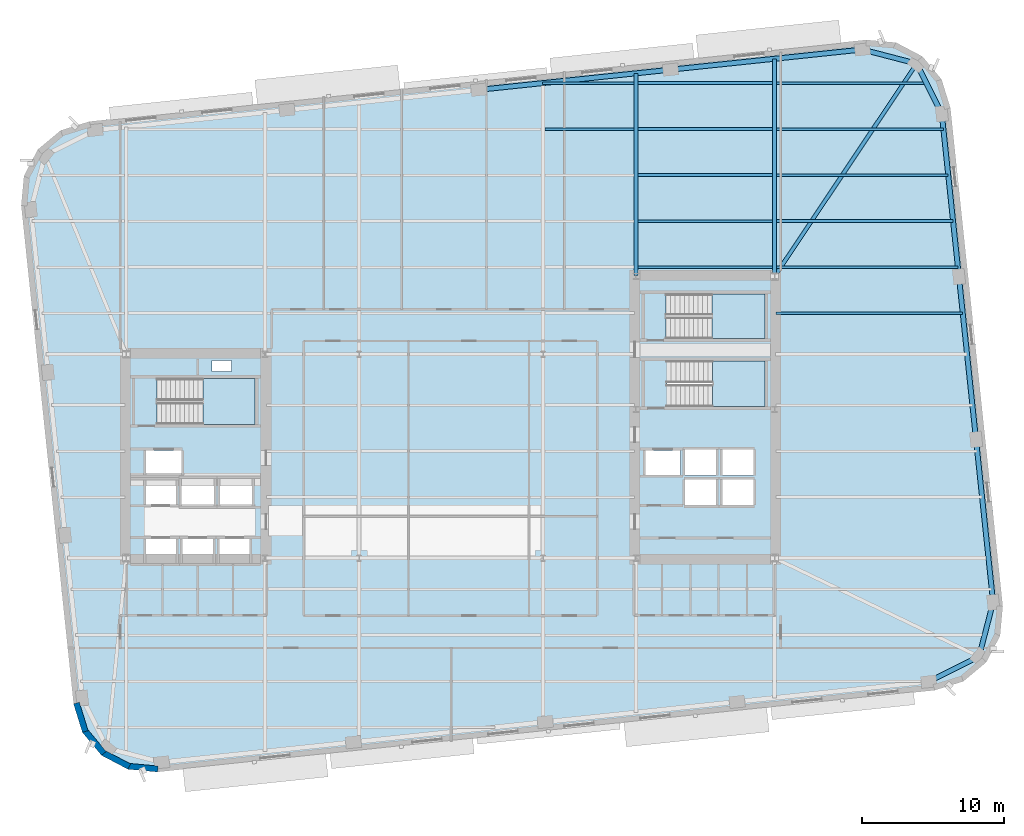
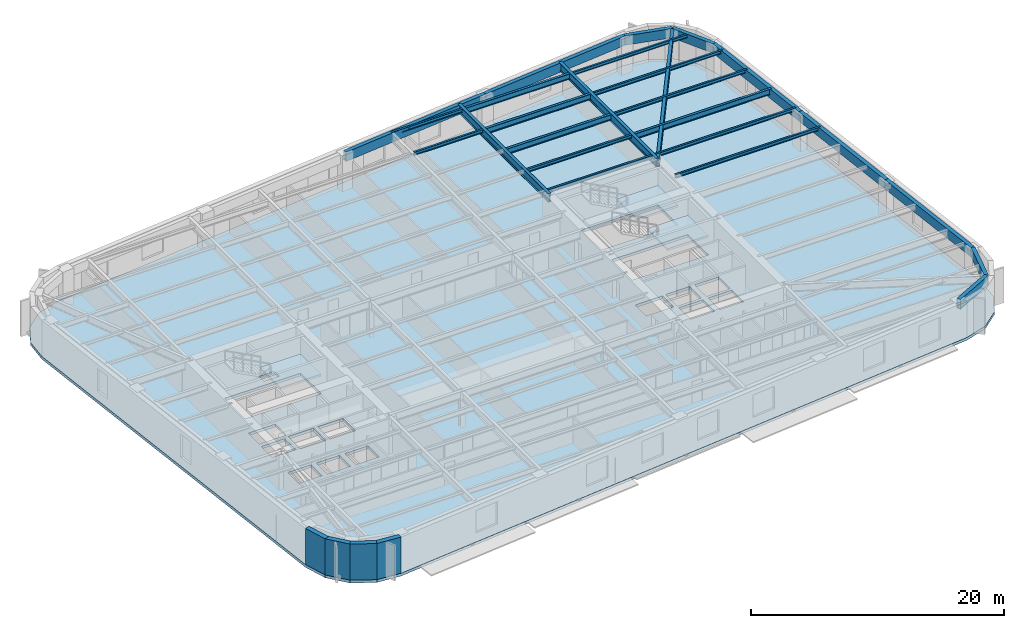
# One storey, part 3 of 15: 25 beams, 4 slabs, 4 walls, 3 elements without a shape of their own.
"""IFC4 building model written with IfcOpenShell, lengths in metres."""

from ifc_helpers import new_model, si_unit, direction, frame, frame_2d, origin, origin_2d, place, context, subcontext, project, spatial, polyline, rectangle, hollow_rectangle, i_section, outline, extrude, material, layer, layer_set, material_profile, profile_set, type_object, element, aggregate, save


model = new_model("IFC4")

# Units and contexts
model_context = context("Model", 3, precision=1e-05, world=origin(), true_north=direction((0.0, 1.0)))
body_context = subcontext(model_context, "Body", "Model", "MODEL_VIEW")
ifc_project = project(units=[si_unit("LENGTHUNIT", "METRE"), si_unit("AREAUNIT", "SQUARE_METRE"), si_unit("VOLUMEUNIT", "CUBIC_METRE"), si_unit("PLANEANGLEUNIT", "RADIAN"), si_unit("MASSUNIT", "GRAM", prefix="KILO")], contexts=[model_context])

# Site, building, storey
site_placement = place(None, origin())
site = spatial("IfcSite", under=ifc_project, at=site_placement, CompositionType="ELEMENT")
building_placement = place(site_placement, origin())
building = spatial("IfcBuilding", under=site, at=building_placement, Name="Kolvaren Arena Tower", CompositionType="ELEMENT")
storey_placement = place(building_placement, frame((0.0, 0.0, 142.0)))
storey = spatial("IfcBuildingStorey", under=building, at=storey_placement, Name="L33", CompositionType="ELEMENT", Elevation=142.0)

# Beams
ifc_material_1 = material(Name="Steel CSA G40.21 350W", Category="steel")
ifc_material_profile_1 = material_profile(ifc_material_1, i_section(OverallWidth=0.2119140625, OverallDepth=0.54296875, WebThickness=0.01318359375, FlangeThickness=0.0244140625, FilletRadius=0.013916015625, at=origin_2d()), Name="W530x150")
ifc_profile_set_1 = profile_set([ifc_material_profile_1], Name="Steel CSA G40.21 350W")
beam_type_1 = type_object("IfcBeamType", Name="BEAM-F1", PredefinedType="BEAM", material=ifc_profile_set_1)
beam_1_placement = place(storey_placement, frame((60.485107421875, 43.25, 3.20849609375), z_axis=(1.0, 0.0, 0.0), x_axis=(0.0, 1.0, 0.0)))
element("IfcBeam", 1, at=beam_1_placement, inside=storey, type_object=beam_type_1, Name="Composite Floor Beam (L33)", PredefinedType="BEAM", context=body_context, shape_type="SweptSolid", body=[
    extrude(i_section(OverallWidth=0.2119140625, OverallDepth=0.54296875, WebThickness=0.01318359375, FlangeThickness=0.0244140625, FilletRadius=0.013916015625, at=origin_2d()), origin(), (0.0, 0.0, 1.0), 12.471435546875),
])
for number, where, z_axis, x_axis, name in (
    (2, (50.68505859375, 46.5, 3.20849609375), (1.0, 0.0, 0.0), (0.0, 1.0, 0.0), "Composite Floor Beam (L33)"),
    (3, (50.68505859375, 49.75, 3.20849609375), (1.0, 0.0, 0.0), (0.0, 1.0, 0.0), "Composite Floor Beam (L33)"),
    (4, (50.68505859375, 53.0, 3.20849609375), (1.0, 0.0, 0.0), (0.0, 1.0, 0.0), "Composite Floor Beam (L33)"),
):
    element("IfcBeam", number, at=place(storey_placement, frame(where, z_axis=z_axis, x_axis=x_axis)), inside=storey, type_object=beam_type_1, Name=name, PredefinedType="BEAM", context=body_context, shape_type="SweptSolid", body=[
        extrude(i_section(OverallWidth=0.2119140625, OverallDepth=0.54296875, WebThickness=0.01318359375, FlangeThickness=0.0244140625, FilletRadius=0.013916015625, at=origin_2d()), origin(), (0.0, 0.0, 1.0), 9.530029296875),
    ])
ifc_material_profile_2 = material_profile(ifc_material_1, i_section(OverallWidth=0.27001953125, OverallDepth=0.77294921875, WebThickness=0.019287109375, FlangeThickness=0.033447265625, FilletRadius=0.01806640625, at=origin_2d()), Name="W760x257")
ifc_profile_set_2 = profile_set([ifc_material_profile_2], Name="Steel CSA G40.21 350W")
beam_type_2 = type_object("IfcBeamType", Name="GIRD-T1", PredefinedType="BEAM", material=ifc_profile_set_2)
beam_2_placement = place(storey_placement, frame((70.387939453125, 54.37939453125, 3.093505859375), z_axis=(-0.555401401293, -0.831582397266, 0.0), x_axis=(0.831582397266, -0.555401401293, 0.0)))
element("IfcBeam", 5, at=beam_2_placement, inside=storey, type_object=beam_type_2, Name="Corner Diagonal Tie Girder (L33)", PredefinedType="BEAM", context=body_context, shape_type="SweptSolid", body=[
    extrude(i_section(OverallWidth=0.27001953125, OverallDepth=0.77294921875, WebThickness=0.019287109375, FlangeThickness=0.033447265625, FilletRadius=0.01806640625, at=origin_2d()), origin(), (0.0, 0.0, 1.0), 18.0732421875),
])
beam_3_placement = place(storey_placement, frame((50.550048828125, 39.405029296875, 3.093505859375), z_axis=(0.0, 1.0, 0.0), x_axis=(-1.0, 0.0, 0.0)))
element("IfcBeam", 6, at=beam_3_placement, inside=storey, type_object=beam_type_2, Name="Primary Floor Girder (L33)", PredefinedType="BEAM", context=body_context, shape_type="SweptSolid", body=[
    extrude(i_section(OverallWidth=0.27001953125, OverallDepth=0.77294921875, WebThickness=0.019287109375, FlangeThickness=0.033447265625, FilletRadius=0.01806640625, at=origin_2d()), origin(), (0.0, 0.0, 1.0), 14.288330078125),
])
beam_4_placement = place(storey_placement, frame((60.35009765625, 39.405029296875, 3.093505859375), z_axis=(0.0, 1.0, 0.0), x_axis=(-1.0, 0.0, 0.0)))
element("IfcBeam", 7, at=beam_4_placement, inside=storey, type_object=beam_type_2, Name="Primary Floor Girder (L33)", PredefinedType="BEAM", context=body_context, shape_type="SweptSolid", body=[
    extrude(i_section(OverallWidth=0.27001953125, OverallDepth=0.77294921875, WebThickness=0.019287109375, FlangeThickness=0.033447265625, FilletRadius=0.01806640625, at=origin_2d()), origin(), (0.0, 0.0, 1.0), 15.318359375),
])
ifc_material_profile_3 = material_profile(ifc_material_1, i_section(OverallWidth=0.1669921875, OverallDepth=0.31689453125, WebThickness=0.007568359375, FlangeThickness=0.01318359375, FilletRadius=0.010009765625, at=origin_2d()), Name="W310x52")
ifc_profile_set_3 = profile_set([ifc_material_profile_3], Name="Steel CSA G40.21 350W")
beam_type_3 = type_object("IfcBeamType", Name="JOIST-02", PredefinedType="JOIST", material=ifc_profile_set_3)
beam_5_placement = place(storey_placement, frame((60.445068359375, 36.75, 3.321533203125), z_axis=(1.0, 0.0, 0.0), x_axis=(0.0, 1.0, 0.0)))
element("IfcBeam", 8, at=beam_5_placement, inside=storey, type_object=beam_type_3, Name="Composite Floor Joist (L33)", PredefinedType="JOIST", context=body_context, shape_type="SweptSolid", body=[
    extrude(i_section(OverallWidth=0.1669921875, OverallDepth=0.31689453125, WebThickness=0.007568359375, FlangeThickness=0.01318359375, FilletRadius=0.010009765625, at=origin_2d()), origin(), (0.0, 0.0, 1.0), 13.19482421875),
])
beam_6_placement = place(storey_placement, frame((50.68505859375, 40.0, 3.321533203125), z_axis=(1.0, 0.0, 0.0), x_axis=(0.0, 1.0, 0.0)))
element("IfcBeam", 9, at=beam_6_placement, inside=storey, type_object=beam_type_3, Name="Composite Floor Joist (L33)", PredefinedType="JOIST", context=body_context, shape_type="SweptSolid", body=[
    extrude(i_section(OverallWidth=0.1669921875, OverallDepth=0.31689453125, WebThickness=0.007568359375, FlangeThickness=0.01318359375, FilletRadius=0.010009765625, at=origin_2d()), origin(), (0.0, 0.0, 1.0), 9.530029296875),
])
beam_7_placement = place(storey_placement, frame((60.485107421875, 40.0, 3.321533203125), z_axis=(1.0, 0.0, 0.0), x_axis=(0.0, 1.0, 0.0)))
element("IfcBeam", 10, at=beam_7_placement, inside=storey, type_object=beam_type_3, Name="Composite Floor Joist (L33)", PredefinedType="JOIST", context=body_context, shape_type="SweptSolid", body=[
    extrude(i_section(OverallWidth=0.1669921875, OverallDepth=0.31689453125, WebThickness=0.007568359375, FlangeThickness=0.01318359375, FilletRadius=0.010009765625, at=origin_2d()), origin(), (0.0, 0.0, 1.0), 12.81298828125),
])
beam_8_placement = place(storey_placement, frame((50.68505859375, 43.25, 3.321533203125), z_axis=(1.0, 0.0, 0.0), x_axis=(0.0, 1.0, 0.0)))
element("IfcBeam", 11, at=beam_8_placement, inside=storey, type_object=beam_type_3, Name="Composite Floor Joist (L33)", PredefinedType="JOIST", context=body_context, shape_type="SweptSolid", body=[
    extrude(i_section(OverallWidth=0.1669921875, OverallDepth=0.31689453125, WebThickness=0.007568359375, FlangeThickness=0.01318359375, FilletRadius=0.010009765625, at=origin_2d()), origin(), (0.0, 0.0, 1.0), 9.530029296875),
])
beam_9_placement = place(storey_placement, frame((60.485107421875, 46.5, 3.321533203125), z_axis=(1.0, 0.0, 0.0), x_axis=(0.0, 1.0, 0.0)))
element("IfcBeam", 12, at=beam_9_placement, inside=storey, type_object=beam_type_3, Name="Composite Floor Joist (L33)", PredefinedType="JOIST", context=body_context, shape_type="SweptSolid", body=[
    extrude(i_section(OverallWidth=0.1669921875, OverallDepth=0.31689453125, WebThickness=0.007568359375, FlangeThickness=0.01318359375, FilletRadius=0.010009765625, at=origin_2d()), origin(), (0.0, 0.0, 1.0), 12.1298828125),
])
beam_10_placement = place(storey_placement, frame((44.135009765625, 49.75, 3.321533203125), z_axis=(1.0, 0.0, 0.0), x_axis=(0.0, 1.0, 0.0)))
element("IfcBeam", 13, at=beam_10_placement, inside=storey, type_object=beam_type_3, Name="Composite Floor Joist (L33)", PredefinedType="JOIST", context=body_context, shape_type="SweptSolid", body=[
    extrude(i_section(OverallWidth=0.1669921875, OverallDepth=0.31689453125, WebThickness=0.007568359375, FlangeThickness=0.01318359375, FilletRadius=0.010009765625, at=origin_2d()), origin(), (0.0, 0.0, 1.0), 6.280029296875),
])
beam_11_placement = place(storey_placement, frame((60.485107421875, 49.75, 3.321533203125), z_axis=(1.0, 0.0, 0.0), x_axis=(0.0, 1.0, 0.0)))
element("IfcBeam", 14, at=beam_11_placement, inside=storey, type_object=beam_type_3, Name="Composite Floor Joist (L33)", PredefinedType="JOIST", context=body_context, shape_type="SweptSolid", body=[
    extrude(i_section(OverallWidth=0.1669921875, OverallDepth=0.31689453125, WebThickness=0.007568359375, FlangeThickness=0.01318359375, FilletRadius=0.010009765625, at=origin_2d()), origin(), (0.0, 0.0, 1.0), 11.788330078125),
])
beam_12_placement = place(storey_placement, frame((43.95361328125, 53.0, 3.321533203125), z_axis=(1.0, 0.0, 0.0), x_axis=(0.0, 1.0, 0.0)))
element("IfcBeam", 15, at=beam_12_placement, inside=storey, type_object=beam_type_3, Name="Composite Floor Joist (L33)", PredefinedType="JOIST", context=body_context, shape_type="SweptSolid", body=[
    extrude(i_section(OverallWidth=0.1669921875, OverallDepth=0.31689453125, WebThickness=0.007568359375, FlangeThickness=0.01318359375, FilletRadius=0.010009765625, at=origin_2d()), origin(), (0.0, 0.0, 1.0), 6.46142578125),
])
beam_13_placement = place(storey_placement, frame((60.485107421875, 53.0, 3.321533203125), z_axis=(1.0, 0.0, 0.0), x_axis=(0.0, 1.0, 0.0)))
element("IfcBeam", 16, at=beam_13_placement, inside=storey, type_object=beam_type_3, Name="Composite Floor Joist (L33)", PredefinedType="JOIST", context=body_context, shape_type="SweptSolid", body=[
    extrude(i_section(OverallWidth=0.1669921875, OverallDepth=0.31689453125, WebThickness=0.007568359375, FlangeThickness=0.01318359375, FilletRadius=0.010009765625, at=origin_2d()), origin(), (0.0, 0.0, 1.0), 10.592529296875),
])
ifc_material_2 = material(Name="Steel CSA G40.21 350WT", Category="steel")
ifc_material_profile_4 = material_profile(ifc_material_2, hollow_rectangle(XDim=0.35009765625, YDim=0.89990234375, WallThickness=0.02001953125, at=origin_2d()), Name="HSS 900x350x20")
ifc_profile_set_4 = profile_set([ifc_material_profile_4], Name="Steel CSA G40.21 350WT")
beam_type_4 = type_object("IfcBeamType", Name="SPAND-01", PredefinedType="SPANDREL", material=ifc_profile_set_4)
for number, where, z_axis, x_axis, name in (
    (17, (71.247314453125, 10.721435546875, 3.030029296875), (0.894451843771, 0.44716428656, 0.0), (-0.44716428656, 0.894451843771, 0.0), "Perimeter Spandrel Beam (L33)"),
    (18, (74.790283203125, 12.49267578125, 3.030029296875), (0.251473350892, 0.967864222808, 0.0), (-0.967864222808, 0.251473350892, 0.0), "Perimeter Spandrel Beam (L33)"),
):
    element("IfcBeam", number, at=place(storey_placement, frame(where, z_axis=z_axis, x_axis=x_axis)), inside=storey, type_object=beam_type_4, Name=name, PredefinedType="SPANDREL", context=body_context, shape_type="SweptSolid", body=[
        extrude(hollow_rectangle(XDim=0.35009765625, YDim=0.89990234375, WallThickness=0.02001953125, at=origin_2d()), origin(), (0.0, 0.0, 1.0), 3.9609375),
    ])
beam_14_placement = place(storey_placement, frame((75.786376953125, 16.326416015625, 3.030029296875), z_axis=(-0.104522171998, 0.994522556587, 0.0), x_axis=(-0.994522556587, -0.104522171998, 0.0)))
element("IfcBeam", 19, at=beam_14_placement, inside=storey, type_object=beam_type_4, Name="Perimeter Spandrel Beam (L33)", PredefinedType="SPANDREL", context=body_context, shape_type="SweptSolid", body=[
    extrude(hollow_rectangle(XDim=0.35009765625, YDim=0.89990234375, WallThickness=0.02001953125, at=origin_2d()), origin(), (0.0, 0.0, 1.0), 11.56689453125),
])
beam_15_placement = place(storey_placement, frame((74.577392578125, 27.829833984375, 3.030029296875), z_axis=(-0.104524366116, 0.994522325988, 0.0), x_axis=(-0.994522325988, -0.104524366116, 0.0)))
element("IfcBeam", 20, at=beam_15_placement, inside=storey, type_object=beam_type_4, Name="Perimeter Spandrel Beam (L33)", PredefinedType="SPANDREL", context=body_context, shape_type="SweptSolid", body=[
    extrude(hollow_rectangle(XDim=0.35009765625, YDim=0.89990234375, WallThickness=0.02001953125, at=origin_2d()), origin(), (0.0, 0.0, 1.0), 11.566650390625),
])
beam_16_placement = place(storey_placement, frame((73.368408203125, 39.3330078125, 3.030029296875), z_axis=(-0.104543048399, 0.994520362301, 0.0), x_axis=(-0.994520362301, -0.104543048399, 0.0)))
element("IfcBeam", 21, at=beam_16_placement, inside=storey, type_object=beam_type_4, Name="Perimeter Spandrel Beam (L33)", PredefinedType="SPANDREL", context=body_context, shape_type="SweptSolid", body=[
    extrude(hollow_rectangle(XDim=0.35009765625, YDim=0.89990234375, WallThickness=0.02001953125, at=origin_2d()), origin(), (0.0, 0.0, 1.0), 11.56689453125),
])
for number, where, z_axis, x_axis, name in (
    (22, (72.1591796875, 50.83642578125, 3.030029296875), (-0.44716428656, 0.894451843771, 0.0), (-0.894451843771, -0.44716428656, 0.0), "Perimeter Spandrel Beam (L33)"),
    (23, (70.387939453125, 54.37939453125, 3.030029296875), (-0.967864222808, 0.251473350892, 0.0), (-0.251473350892, -0.967864222808, 0.0), "Perimeter Spandrel Beam (L33)"),
):
    element("IfcBeam", number, at=place(storey_placement, frame(where, z_axis=z_axis, x_axis=x_axis)), inside=storey, type_object=beam_type_4, Name=name, PredefinedType="SPANDREL", context=body_context, shape_type="SweptSolid", body=[
        extrude(hollow_rectangle(XDim=0.35009765625, YDim=0.89990234375, WallThickness=0.02001953125, at=origin_2d()), origin(), (0.0, 0.0, 1.0), 3.9609375),
    ])
beam_17_placement = place(storey_placement, frame((66.55419921875, 55.37548828125, 3.030029296875), z_axis=(-0.994521150946, -0.104535545729, 0.0), x_axis=(0.104535545729, -0.994521150946, 0.0)))
element("IfcBeam", 24, at=beam_17_placement, inside=storey, type_object=beam_type_4, Name="Perimeter Spandrel Beam (L33)", PredefinedType="SPANDREL", context=body_context, shape_type="SweptSolid", body=[
    extrude(hollow_rectangle(XDim=0.35009765625, YDim=0.89990234375, WallThickness=0.02001953125, at=origin_2d()), origin(), (0.0, 0.0, 1.0), 13.625244140625),
])
beam_18_placement = place(storey_placement, frame((53.003662109375, 53.951171875, 3.030029296875), z_axis=(-0.994522817887, -0.104519685718, 0.0), x_axis=(0.104519685718, -0.994522817887, 0.0)))
element("IfcBeam", 25, at=beam_18_placement, inside=storey, type_object=beam_type_4, Name="Perimeter Spandrel Beam (L33)", PredefinedType="SPANDREL", context=body_context, shape_type="SweptSolid", body=[
    extrude(hollow_rectangle(XDim=0.35009765625, YDim=0.89990234375, WallThickness=0.02001953125, at=origin_2d()), origin(), (0.0, 0.0, 1.0), 13.625),
])

# Stair, slab
ifc_material_3 = material(Name="Concrete 45 MPa", Category="concrete")
stair_type_1 = type_object("IfcStairType", Name="STAIR-CORE-165", PredefinedType="HALF_TURN_STAIR", material=ifc_material_3)
stair_1_placement = place(storey_placement, origin())
stair_1 = element("IfcStair", 26, at=stair_1_placement, inside=storey, type_object=stair_type_1, Name="L33 ST-W1", PredefinedType="HALF_TURN_STAIR")
ifc_layer_1 = layer(ifc_material_3, 0.199951171875)
ifc_layer_set_1 = layer_set([ifc_layer_1], Name="Concrete 45 MPa")
slab_type_1 = type_object("IfcSlabType", Name="SLAB-LAND", PredefinedType="LANDING", material=ifc_layer_set_1)
slab_1_placement = place(storey_placement, frame((0.0, 0.0, 1.675048828125)))
slab_1 = element("IfcSlab", 27, at=slab_1_placement, type_object=slab_type_1, Name="ST-W1 landing 1", PredefinedType="LANDING", context=body_context, shape_type="SweptSolid", body=[
    extrude(outline(polyline([(19.9599609375, 28.89990234375), (23.659912109375, 28.89990234375), (23.659912109375, 32.1298828125), (19.9599609375, 32.1298828125), (19.9599609375, 28.89990234375)])), origin(), (0.0, 0.0, 1.0), 0.199951171875),
])
aggregate(stair_1, [slab_1])

stair_2_placement = place(storey_placement, origin())
stair_2 = element("IfcStair", 28, at=stair_2_placement, inside=storey, type_object=stair_type_1, Name="L33 ST-E1", PredefinedType="HALF_TURN_STAIR")
slab_2_placement = place(storey_placement, frame((0.0, 0.0, 1.675048828125)))
slab_2 = element("IfcSlab", 29, at=slab_2_placement, type_object=slab_type_1, Name="ST-E1 landing 1", PredefinedType="LANDING", context=body_context, shape_type="SweptSolid", body=[
    extrude(outline(polyline([(55.9599609375, 30.14990234375), (59.659912109375, 30.14990234375), (59.659912109375, 33.3798828125), (55.9599609375, 33.3798828125), (55.9599609375, 30.14990234375)])), origin(), (0.0, 0.0, 1.0), 0.199951171875),
])
aggregate(stair_2, [slab_2])

stair_type_2 = type_object("IfcStairType", Name="STAIR-CORE-150", PredefinedType="HALF_TURN_STAIR", material=ifc_material_3)
stair_3_placement = place(storey_placement, origin())
stair_3 = element("IfcStair", 30, at=stair_3_placement, inside=storey, type_object=stair_type_2, Name="L33 ST-E2", PredefinedType="HALF_TURN_STAIR")
slab_3_placement = place(storey_placement, frame((0.0, 0.0, 1.675048828125)))
slab_3 = element("IfcSlab", 31, at=slab_3_placement, type_object=slab_type_1, Name="ST-E2 landing 1", PredefinedType="LANDING", context=body_context, shape_type="SweptSolid", body=[
    extrude(outline(polyline([(55.919921875, 34.949951171875), (59.659912109375, 34.949951171875), (59.659912109375, 38.10009765625), (55.919921875, 38.10009765625), (55.919921875, 34.949951171875)])), origin(), (0.0, 0.0, 1.0), 0.199951171875),
])
aggregate(stair_3, [slab_3])

# Slab
ifc_layer_2 = layer(ifc_material_3, 0.27001953125)
ifc_layer_set_2 = layer_set([ifc_layer_2], Name="Concrete 45 MPa")
slab_type_2 = type_object("IfcSlabType", Name="SLAB-OFF2", PredefinedType="FLOOR", material=ifc_layer_set_2)
slab_4_placement = place(storey_placement, frame((0.0, 0.0, -0.27001953125)))
element("IfcSlab", 32, at=slab_4_placement, inside=storey, type_object=slab_type_2, Name="L33 Primary Structural Slab", PredefinedType="FLOOR", context=body_context, shape_type="SweptSolid", body=[
    extrude(outline(polyline([(71.663330078125, 10.111572265625), (73.675537109375, 10.736328125), (75.29541015625, 12.08349609375), (76.276611328125, 13.9482421875), (76.469482421875, 16.04638671875), (72.76904296875, 51.25244140625), (72.144287109375, 53.2646484375), (70.797119140625, 54.884521484375), (68.932373046875, 55.865478515625), (66.834228515625, 56.058349609375), (11.9365234375, 50.28857421875), (9.92431640625, 49.663818359375), (8.304443359375, 48.31640625), (7.323486328125, 46.45166015625), (7.130615234375, 44.353515625), (10.830810546875, 9.1474609375), (11.455810546875, 7.13525390625), (12.802978515625, 5.515380859375), (14.667724609375, 4.534423828125), (16.765869140625, 4.341552734375), (71.663330078125, 10.111572265625)]), holes=[polyline([(15.93505859375, 19.0849609375), (15.93505859375, 20.81494140625), (18.06494140625, 20.81494140625), (18.06494140625, 19.0849609375), (15.93505859375, 19.0849609375)]), polyline([(18.534912109375, 19.0849609375), (18.534912109375, 20.81494140625), (20.6650390625, 20.81494140625), (20.6650390625, 19.0849609375), (18.534912109375, 19.0849609375)]), polyline([(21.135009765625, 19.0849609375), (21.135009765625, 20.81494140625), (23.264892578125, 20.81494140625), (23.264892578125, 19.0849609375), (21.135009765625, 19.0849609375)]), polyline([(18.4599609375, 23.135009765625), (18.4599609375, 25.06494140625), (20.739990234375, 25.06494140625), (20.739990234375, 23.135009765625), (18.4599609375, 23.135009765625)]), polyline([(21.159912109375, 23.135009765625), (21.159912109375, 25.06494140625), (23.43994140625, 25.06494140625), (23.43994140625, 23.135009765625), (21.159912109375, 23.135009765625)]), polyline([(54.030029296875, 23.18505859375), (54.030029296875, 25.014892578125), (56.2099609375, 25.014892578125), (56.2099609375, 23.18505859375), (54.030029296875, 23.18505859375)]), polyline([(56.669921875, 23.18505859375), (56.669921875, 25.014892578125), (58.85009765625, 25.014892578125), (58.85009765625, 23.18505859375), (56.669921875, 23.18505859375)]), polyline([(15.93505859375, 23.235107421875), (15.93505859375, 24.965087890625), (18.06494140625, 24.965087890625), (18.06494140625, 23.235107421875), (15.93505859375, 23.235107421875)]), polyline([(54.030029296875, 25.284912109375), (54.030029296875, 27.114990234375), (56.2099609375, 27.114990234375), (56.2099609375, 25.284912109375), (54.030029296875, 25.284912109375)]), polyline([(56.669921875, 25.284912109375), (56.669921875, 27.114990234375), (58.85009765625, 27.114990234375), (58.85009765625, 25.284912109375), (56.669921875, 25.284912109375)]), polyline([(15.9599609375, 25.3349609375), (15.9599609375, 27.06494140625), (18.43994140625, 27.06494140625), (18.43994140625, 25.3349609375), (15.9599609375, 25.3349609375)]), polyline([(51.219970703125, 25.3349609375), (51.219970703125, 27.06494140625), (53.699951171875, 27.06494140625), (53.699951171875, 25.3349609375), (51.219970703125, 25.3349609375)]), polyline([(16.735107421875, 28.89990234375), (16.735107421875, 32.1298828125), (23.659912109375, 32.1298828125), (23.659912109375, 28.89990234375), (16.735107421875, 28.89990234375)]), polyline([(52.735107421875, 30.14990234375), (52.735107421875, 33.3798828125), (59.659912109375, 33.3798828125), (59.659912109375, 30.14990234375), (52.735107421875, 30.14990234375)]), polyline([(20.60009765625, 32.6201171875), (20.60009765625, 33.39990234375), (22.0, 33.39990234375), (22.0, 32.6201171875), (20.60009765625, 32.6201171875)]), polyline([(52.695068359375, 34.949951171875), (52.695068359375, 38.10009765625), (59.659912109375, 38.10009765625), (59.659912109375, 34.949951171875), (52.695068359375, 34.949951171875)])]), origin(), (0.0, 0.0, 1.0), 0.27001953125),
])

# Walls
ifc_material_4 = material(Name="Precast concrete C50/60", Category="concrete")
ifc_layer_3 = layer(ifc_material_4, 0.419921875)
ifc_layer_set_3 = layer_set([ifc_layer_3], Name="Precast concrete C50/60")
wall_type = type_object("IfcWallType", Name="EXT-PIER1", PredefinedType="SOLIDWALL", material=ifc_layer_set_3)
for number, where, z_axis, x_axis, name in (
    (33, (11.65625, 7.197509765625, 0.0), (0.0, 0.0, 1.0), (-0.296519484366, 0.955026803494, 0.0), "Exterior Precast Masonry-Frame Wall (L33)"),
    (34, (12.964599609375, 5.649658203125, 0.0), (0.0, 0.0, 1.0), (-0.639488914921, 0.768800317178, 0.0), "Exterior Precast Masonry-Frame Wall (L33)"),
    (35, (14.765380859375, 4.72021484375, 0.0), (0.0, 0.0, 1.0), (-0.884940843444, 0.465703450282, 0.0), "Exterior Precast Masonry-Frame Wall (L33)"),
):
    element("IfcWall", number, at=place(storey_placement, frame(where, z_axis=z_axis, x_axis=x_axis)), inside=storey, type_object=wall_type, Name=name, PredefinedType="SOLIDWALL", context=body_context, shape_type="SweptSolid", body=[
        extrude(rectangle(XDim=2.10693359375, YDim=0.419921875, at=frame_2d((1.053466796875, 0.0))), origin(), (0.0, 0.0, 1.0), 3.47998046875),
    ])
wall_placement = place(storey_placement, frame((16.784912109375, 4.55078125, 0.0), z_axis=(0.0, 0.0, 1.0), x_axis=(-0.995811110714, 0.091434303078, 0.0)))
element("IfcWall", 36, at=wall_placement, inside=storey, type_object=wall_type, Name="Exterior Precast Masonry-Frame Wall (L33)", PredefinedType="SOLIDWALL", context=body_context, shape_type="SweptSolid", body=[
    extrude(rectangle(XDim=2.106689453125, YDim=0.419921875, at=frame_2d((1.05322265625, 0.0))), origin(), (0.0, 0.0, 1.0), 3.47998046875),
])

save(model, "model.ifc")
